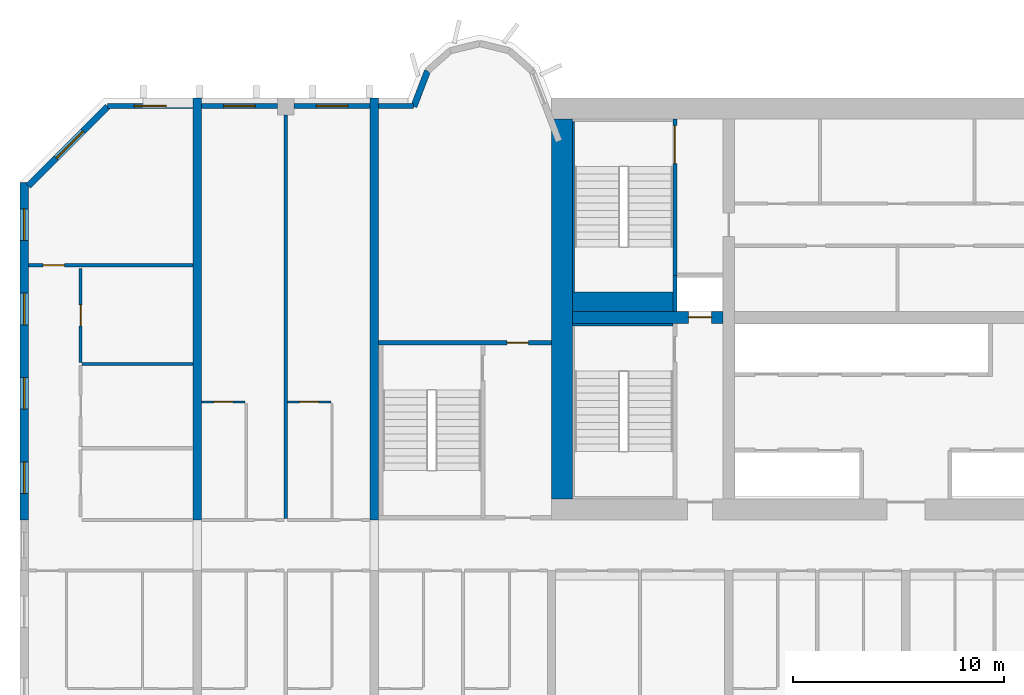
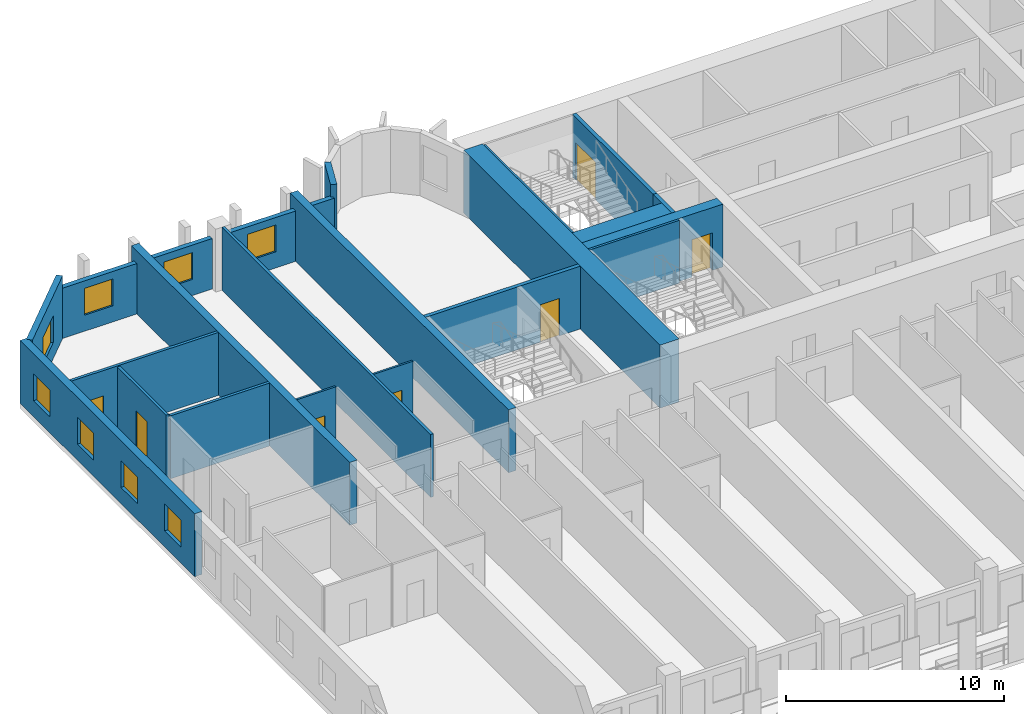
# One storey, part 6 of 15: 23 walls, 8 windows, 7 doors, 15 openings.
"""IFC4 building model written with IfcOpenShell, lengths in metres."""

from ifc_helpers import new_model, si_unit, direction, frame, frame_2d, origin, place, context, subcontext, project, spatial, rectangle, extrude, source, transform, mapped, material, layer, layer_set, type_object, element, fill, save


model = new_model("IFC4")

# Units and contexts
model_context = context("Model", 3, precision=1e-05, world=origin(), true_north=direction((0.0, 1.0)))
body_context = subcontext(model_context, "Body", "Model", "MODEL_VIEW")
ifc_project = project(units=[si_unit("LENGTHUNIT", "METRE"), si_unit("AREAUNIT", "SQUARE_METRE"), si_unit("VOLUMEUNIT", "CUBIC_METRE"), si_unit("PLANEANGLEUNIT", "RADIAN"), si_unit("MASSUNIT", "GRAM", prefix="KILO")], contexts=[model_context])

# Site, building, storey
site_placement = place(None, origin())
site = spatial("IfcSite", under=ifc_project, at=site_placement, CompositionType="ELEMENT")
building_placement = place(site_placement, origin())
building = spatial("IfcBuilding", under=site, at=building_placement, Name="Vanashikhar Sky Hotel", CompositionType="ELEMENT")
storey_placement = place(building_placement, frame((0.0, 0.0, 77.199951171875)))
storey = spatial("IfcBuildingStorey", under=building, at=storey_placement, Name="L18", CompositionType="ELEMENT", Elevation=77.199951171875)

# Wall
ifc_material_1 = material(Name="Concrete M80", Category="concrete")
ifc_layer_1 = layer(ifc_material_1, 1.0)
ifc_layer_set_1 = layer_set([ifc_layer_1], Name="RC core shell wall 1000 Concrete M80")
wall_type_1 = type_object("IfcWallType", Name="RC core shell wall 1000 Concrete M80", PredefinedType="SHEAR", material=ifc_layer_set_1)
shared_shape_1 = source(origin(), body_context, "Body", "SweptSolid", [
    extrude(rectangle(XDim=18.0, YDim=1.0, at=frame_2d((9.0, 0.0))), origin(), (0.0, 0.0, 1.0), 3.52001953125),
])
wall_1_placement = place(storey_placement, frame((25.699951171875, 23.0, 0.0), z_axis=(0.0, 0.0, 1.0), x_axis=(0.0, 1.0, 0.0)))
element("IfcWall", 1, at=wall_1_placement, inside=storey, type_object=wall_type_1, Name="KW-L18-KW", PredefinedType="SHEAR", context=body_context, shape_type="MappedRepresentation", body=[
    mapped(shared_shape_1, transform((0.0, 0.0, 0.0), scale=1.0)),
])

# Wall, opening, door
ifc_layer_2 = layer(ifc_material_1, 0.550048828125)
ifc_layer_set_2 = layer_set([ifc_layer_2], Name="RC core inner wall 550 Concrete M80")
wall_type_2 = type_object("IfcWallType", Name="RC core inner wall 550 Concrete M80", PredefinedType="SHEAR", material=ifc_layer_set_2)
shared_shape_2 = source(origin(), body_context, "Body", "SweptSolid", [
    extrude(rectangle(XDim=7.125, YDim=0.550048828125, at=frame_2d((3.5625, 0.0))), origin(), (0.0, 0.0, 1.0), 3.52001953125),
])
wall_2_placement = place(storey_placement, frame((26.199951171875, 31.60009765625, 0.0), z_axis=(0.0, 0.0, 1.0), x_axis=(1.0, 0.0, 0.0)))
wall_2 = element("IfcWall", 2, at=wall_2_placement, inside=storey, type_object=wall_type_2, Name="KW-L18-KY1", PredefinedType="SHEAR", context=body_context, shape_type="MappedRepresentation", body=[
    mapped(shared_shape_2, transform((0.0, 0.0, 0.0), scale=1.0)),
])
shared_shape_3 = source(origin(), body_context, "Body", "SweptSolid", [
    extrude(rectangle(XDim=1.10009765625, YDim=2.10009765625, at=frame_2d((0.550048828125, 1.050048828125))), frame((0.0, 0.28515625, 0.0), z_axis=(0.0, -1.0, 0.0), x_axis=(1.0, 0.0, 0.0)), (0.0, 0.0, 1.0), 0.570068359375),
])
opening_1_placement = place(wall_2_placement, frame((5.488037109375, 0.0, 0.0)))
opening_1 = element("IfcOpeningElement", 3, at=opening_1_placement, cuts=wall_2, Name="Opening LD", PredefinedType="OPENING", context=body_context, shape_type="MappedRepresentation", body=[
    mapped(shared_shape_3, transform((0.0, 0.0, 0.0), scale=1.0)),
])
ifc_material_2 = material(Name="Stainless steel", Category="steel")
door_type_1 = type_object("IfcDoorType", Name="Lift landing door 1100", OperationType="NOTDEFINED", PredefinedType="DOOR", material=ifc_material_2)
shared_shape_4 = source(origin(), body_context, "Body", "SweptSolid", [
    extrude(rectangle(XDim=1.10009765625, YDim=2.10009765625, at=frame_2d((0.550048828125, 1.050048828125))), frame((0.0, 0.02490234375, 0.0), z_axis=(0.0, -1.0, 0.0), x_axis=(1.0, 0.0, 0.0)), (0.0, 0.0, 1.0), 0.050048828125),
])
door_1_placement = place(opening_1_placement, origin())
door_1 = element("IfcDoor", 4, at=door_1_placement, inside=storey, type_object=door_type_1, Name="Lift landing door 1100", OperationType="SLIDING_TO_RIGHT", OverallHeight=2.10009765625, OverallWidth=1.10009765625, PredefinedType="DOOR", context=body_context, shape_type="MappedRepresentation", body=[
    mapped(shared_shape_4, transform((0.0, 0.0, 0.0), scale=1.0)),
])
fill(opening_1, door_1)

# Wall, openings, windows
ifc_layer_3 = layer(ifc_material_1, 0.39990234375)
ifc_layer_set_3 = layer_set([ifc_layer_3], Name="RC shear wall 400 Concrete M80")
wall_type_3 = type_object("IfcWallType", Name="RC shear wall 400 Concrete M80", PredefinedType="SHEAR", material=ifc_layer_set_3)
shared_shape_5 = source(origin(), body_context, "Body", "SweptSolid", [
    extrude(rectangle(XDim=16.0, YDim=0.39990234375, at=frame_2d((8.0, 0.0))), origin(), (0.0, 0.0, 1.0), 3.52001953125),
])
wall_3_placement = place(storey_placement, frame((0.199951171875, 22.0, 0.0), z_axis=(0.0, 0.0, 1.0), x_axis=(0.0, 1.0, 0.0)))
wall_3 = element("IfcWall", 5, at=wall_3_placement, inside=storey, type_object=wall_type_3, Name="CW-L18-XW01-2", PredefinedType="SHEAR", context=body_context, shape_type="MappedRepresentation", body=[
    mapped(shared_shape_5, transform((0.0, 0.0, 0.0), scale=1.0)),
])
shared_shape_6 = source(origin(), body_context, "Body", "SweptSolid", [
    extrude(rectangle(XDim=1.5, YDim=1.5, at=frame_2d((0.75, 0.75))), frame((0.0, 0.2099609375, 0.0), z_axis=(0.0, -1.0, 0.0), x_axis=(1.0, 0.0, 0.0)), (0.0, 0.0, 1.0), 0.419921875),
])
opening_2_placement = place(wall_3_placement, frame((1.25, 0.0, 0.89990234375)))
opening_2 = element("IfcOpeningElement", 6, at=opening_2_placement, cuts=wall_3, Name="Opening WN-1", PredefinedType="OPENING", context=body_context, shape_type="MappedRepresentation", body=[
    mapped(shared_shape_6, transform((0.0, 0.0, 0.0), scale=1.0)),
])
opening_3_placement = place(wall_3_placement, frame((5.25, 0.0, 0.89990234375)))
opening_3 = element("IfcOpeningElement", 7, at=opening_3_placement, cuts=wall_3, Name="Opening WN-1", PredefinedType="OPENING", context=body_context, shape_type="MappedRepresentation", body=[
    mapped(shared_shape_6, transform((0.0, 0.0, 0.0), scale=1.0)),
])
opening_4_placement = place(wall_3_placement, frame((9.25, 0.0, 0.89990234375)))
opening_4 = element("IfcOpeningElement", 8, at=opening_4_placement, cuts=wall_3, Name="Opening WN-1", PredefinedType="OPENING", context=body_context, shape_type="MappedRepresentation", body=[
    mapped(shared_shape_6, transform((0.0, 0.0, 0.0), scale=1.0)),
])
opening_5_placement = place(wall_3_placement, frame((13.25, 0.0, 0.89990234375)))
opening_5 = element("IfcOpeningElement", 9, at=opening_5_placement, cuts=wall_3, Name="Opening WN-1", PredefinedType="OPENING", context=body_context, shape_type="MappedRepresentation", body=[
    mapped(shared_shape_6, transform((0.0, 0.0, 0.0), scale=1.0)),
])
ifc_material_3 = material(Name="Glass", Category="glass")
window_type_1 = type_object("IfcWindowType", Name="Window 1500 x 1500", PartitioningType="SINGLE_PANEL", PredefinedType="WINDOW", material=ifc_material_3)
shared_shape_7 = source(origin(), body_context, "Body", "SweptSolid", [
    extrude(rectangle(XDim=1.5, YDim=1.5, at=frame_2d((0.75, 0.75))), frame((0.0, 0.030029296875, 0.0), z_axis=(0.0, -1.0, 0.0), x_axis=(1.0, 0.0, 0.0)), (0.0, 0.0, 1.0), 0.06005859375),
])
window_1_placement = place(opening_2_placement, origin())
window_1 = element("IfcWindow", 10, at=window_1_placement, inside=storey, type_object=window_type_1, Name="Window WN-1", OverallHeight=1.5, OverallWidth=1.5, PartitioningType="SINGLE_PANEL", PredefinedType="WINDOW", context=body_context, shape_type="MappedRepresentation", body=[
    mapped(shared_shape_7, transform((0.0, 0.0, 0.0), scale=1.0)),
])
fill(opening_2, window_1)
window_2_placement = place(opening_3_placement, origin())
window_2 = element("IfcWindow", 11, at=window_2_placement, inside=storey, type_object=window_type_1, Name="Window WN-1", OverallHeight=1.5, OverallWidth=1.5, PartitioningType="SINGLE_PANEL", PredefinedType="WINDOW", context=body_context, shape_type="MappedRepresentation", body=[
    mapped(shared_shape_7, transform((0.0, 0.0, 0.0), scale=1.0)),
])
fill(opening_3, window_2)
window_3_placement = place(opening_4_placement, origin())
window_3 = element("IfcWindow", 12, at=window_3_placement, inside=storey, type_object=window_type_1, Name="Window WN-1", OverallHeight=1.5, OverallWidth=1.5, PartitioningType="SINGLE_PANEL", PredefinedType="WINDOW", context=body_context, shape_type="MappedRepresentation", body=[
    mapped(shared_shape_7, transform((0.0, 0.0, 0.0), scale=1.0)),
])
fill(opening_4, window_3)
window_4_placement = place(opening_5_placement, origin())
window_4 = element("IfcWindow", 13, at=window_4_placement, inside=storey, type_object=window_type_1, Name="Window WN-1", OverallHeight=1.5, OverallWidth=1.5, PartitioningType="SINGLE_PANEL", PredefinedType="WINDOW", context=body_context, shape_type="MappedRepresentation", body=[
    mapped(shared_shape_7, transform((0.0, 0.0, 0.0), scale=1.0)),
])
fill(opening_5, window_4)

# Walls
shared_shape_8 = source(origin(), body_context, "Body", "SweptSolid", [
    extrude(rectangle(XDim=20.0, YDim=0.39990234375, at=frame_2d((10.0, 0.0))), origin(), (0.0, 0.0, 1.0), 3.52001953125),
])
for number, where, z_axis, x_axis, name in (
    (14, (8.39990234375, 22.0, 0.0), (0.0, 0.0, 1.0), (0.0, 1.0, 0.0), "CW-L18-XW02-2"),
    (15, (16.800048828125, 22.0, 0.0), (0.0, 0.0, 1.0), (0.0, 1.0, 0.0), "CW-L18-XW03-2"),
):
    element("IfcWall", number, at=place(storey_placement, frame(where, z_axis=z_axis, x_axis=x_axis)), inside=storey, type_object=wall_type_3, Name=name, PredefinedType="SHEAR", context=body_context, shape_type="MappedRepresentation", body=[
        mapped(shared_shape_8, transform((0.0, 0.0, 0.0), scale=1.0)),
    ])

# Wall, opening, window
ifc_material_4 = material(Name="Concrete M50", Category="concrete")
ifc_layer_4 = layer(ifc_material_4, 0.300048828125)
ifc_layer_set_4 = layer_set([ifc_layer_4], Name="Lobe wall 300")
wall_type_4 = type_object("IfcWallType", Name="Lobe wall 300", PredefinedType="SOLIDWALL", material=ifc_layer_set_4)
shared_shape_9 = source(origin(), body_context, "Body", "SweptSolid", [
    extrude(rectangle(XDim=5.32568359375, YDim=0.300048828125, at=frame_2d((2.662841796875, 0.0))), origin(), (0.0, 0.0, 1.0), 3.52001953125),
])
wall_4_placement = place(storey_placement, frame((4.165771484375, 41.60009765625, 0.0), z_axis=(0.0, 0.0, 1.0), x_axis=(-0.707106781187, -0.707106781187, 0.0)))
wall_4 = element("IfcWall", 16, at=wall_4_placement, inside=storey, type_object=wall_type_4, Name="Corner wall", PredefinedType="SOLIDWALL", context=body_context, shape_type="MappedRepresentation", body=[
    mapped(shared_shape_9, transform((0.0, 0.0, 0.0), scale=1.0)),
])
shared_shape_10 = source(origin(), body_context, "Body", "SweptSolid", [
    extrude(rectangle(XDim=1.800048828125, YDim=1.5, at=frame_2d((0.89990234375, 0.75))), frame((0.0, 0.16015625, 0.0), z_axis=(0.0, -1.0, 0.0), x_axis=(1.0, 0.0, 0.0)), (0.0, 0.0, 1.0), 0.320068359375),
])
opening_6_placement = place(wall_4_placement, frame((1.654296875, 0.0, 0.89990234375)))
opening_6 = element("IfcOpeningElement", 17, at=opening_6_placement, cuts=wall_4, Name="Opening WN-4", PredefinedType="OPENING", context=body_context, shape_type="MappedRepresentation", body=[
    mapped(shared_shape_10, transform((0.0, 0.0, 0.0), scale=1.0)),
])
window_type_2 = type_object("IfcWindowType", Name="Corner window 1800 x 1500", PartitioningType="SINGLE_PANEL", PredefinedType="WINDOW", material=ifc_material_3)
shared_shape_11 = source(origin(), body_context, "Body", "SweptSolid", [
    extrude(rectangle(XDim=1.800048828125, YDim=1.5, at=frame_2d((0.89990234375, 0.75))), frame((0.0, 0.030029296875, 0.0), z_axis=(0.0, -1.0, 0.0), x_axis=(1.0, 0.0, 0.0)), (0.0, 0.0, 1.0), 0.06005859375),
])
window_5_placement = place(opening_6_placement, origin())
window_5 = element("IfcWindow", 18, at=window_5_placement, inside=storey, type_object=window_type_2, Name="Window WN-4", OverallHeight=1.5, OverallWidth=1.800048828125, PartitioningType="SINGLE_PANEL", PredefinedType="WINDOW", context=body_context, shape_type="MappedRepresentation", body=[
    mapped(shared_shape_11, transform((0.0, 0.0, 0.0), scale=1.0)),
])
fill(opening_6, window_5)

# Walls
shared_shape_12 = source(origin(), body_context, "Body", "SweptSolid", [
    extrude(rectangle(XDim=1.81201171875, YDim=0.300048828125, at=frame_2d((0.906005859375, 0.0))), origin(), (0.0, 0.0, 1.0), 3.52001953125),
])
wall_5_placement = place(storey_placement, frame((19.323486328125, 43.2919921875, 0.0), z_axis=(0.0, 0.0, 1.0), x_axis=(-0.357877270961, -0.93376863244, 0.0)))
element("IfcWall", 19, at=wall_5_placement, inside=storey, type_object=wall_type_4, Name="Lobe wall", PredefinedType="SOLIDWALL", context=body_context, shape_type="MappedRepresentation", body=[
    mapped(shared_shape_12, transform((0.0, 0.0, 0.0), scale=1.0)),
])
ifc_layer_5 = layer(ifc_material_4, 0.25)
ifc_layer_set_5 = layer_set([ifc_layer_5], Name="Rear and end board-marked wall 250")
wall_type_5 = type_object("IfcWallType", Name="Rear and end board-marked wall 250", PredefinedType="SOLIDWALL", material=ifc_layer_set_5)
shared_shape_13 = source(origin(), body_context, "Body", "SweptSolid", [
    extrude(rectangle(XDim=1.657958984375, YDim=0.25, at=frame_2d((0.8291015625, 0.0))), origin(), (0.0, 0.0, 1.0), 2.820068359375),
])
wall_6_placement = place(storey_placement, frame((18.657958984375, 41.625, 0.0), z_axis=(0.0, 0.0, 1.0), x_axis=(-1.0, 0.0, 0.0)))
element("IfcWall", 20, at=wall_6_placement, inside=storey, type_object=wall_type_5, Name="Rear board-marked wall", PredefinedType="SOLIDWALL", context=body_context, shape_type="MappedRepresentation", body=[
    mapped(shared_shape_13, transform((0.0, 0.0, 0.0), scale=1.0)),
])

# Wall, opening, window
shared_shape_14 = source(origin(), body_context, "Body", "SweptSolid", [
    extrude(rectangle(XDim=3.60009765625, YDim=0.25, at=frame_2d((1.800048828125, 0.0))), origin(), (0.0, 0.0, 1.0), 2.820068359375),
])
wall_7_placement = place(storey_placement, frame((16.60009765625, 41.625, 0.0), z_axis=(0.0, 0.0, 1.0), x_axis=(-1.0, 0.0, 0.0)))
wall_7 = element("IfcWall", 21, at=wall_7_placement, inside=storey, type_object=wall_type_5, Name="Rear board-marked wall", PredefinedType="SOLIDWALL", context=body_context, shape_type="MappedRepresentation", body=[
    mapped(shared_shape_14, transform((0.0, 0.0, 0.0), scale=1.0)),
])
shared_shape_15 = source(origin(), body_context, "Body", "SweptSolid", [
    extrude(rectangle(XDim=1.5, YDim=1.5, at=frame_2d((0.75, 0.75))), frame((0.0, 0.135009765625, 0.0), z_axis=(0.0, -1.0, 0.0), x_axis=(1.0, 0.0, 0.0)), (0.0, 0.0, 1.0), 0.27001953125),
])
opening_7_placement = place(wall_7_placement, frame((1.050048828125, 0.0, 0.89990234375)))
opening_7 = element("IfcOpeningElement", 22, at=opening_7_placement, cuts=wall_7, Name="Opening WN-1", PredefinedType="OPENING", context=body_context, shape_type="MappedRepresentation", body=[
    mapped(shared_shape_15, transform((0.0, 0.0, 0.0), scale=1.0)),
])
window_6_placement = place(opening_7_placement, origin())
window_6 = element("IfcWindow", 23, at=window_6_placement, inside=storey, type_object=window_type_1, Name="Window WN-1", OverallHeight=1.5, OverallWidth=1.5, PartitioningType="SINGLE_PANEL", PredefinedType="WINDOW", context=body_context, shape_type="MappedRepresentation", body=[
    mapped(shared_shape_7, transform((0.0, 0.0, 0.0), scale=1.0)),
])
fill(opening_7, window_6)

shared_shape_16 = source(origin(), body_context, "Body", "SweptSolid", [
    extrude(rectangle(XDim=3.599853515625, YDim=0.25, at=frame_2d((1.7998046875, 0.0))), origin(), (0.0, 0.0, 1.0), 2.820068359375),
])
wall_8_placement = place(storey_placement, frame((12.199951171875, 41.625, 0.0), z_axis=(0.0, 0.0, 1.0), x_axis=(-1.0, 0.0, 0.0)))
wall_8 = element("IfcWall", 24, at=wall_8_placement, inside=storey, type_object=wall_type_5, Name="Rear board-marked wall", PredefinedType="SOLIDWALL", context=body_context, shape_type="MappedRepresentation", body=[
    mapped(shared_shape_16, transform((0.0, 0.0, 0.0), scale=1.0)),
])
opening_8_placement = place(wall_8_placement, frame((1.050048828125, 0.0, 0.89990234375)))
opening_8 = element("IfcOpeningElement", 25, at=opening_8_placement, cuts=wall_8, Name="Opening WN-1", PredefinedType="OPENING", context=body_context, shape_type="MappedRepresentation", body=[
    mapped(shared_shape_15, transform((0.0, 0.0, 0.0), scale=1.0)),
])
window_7_placement = place(opening_8_placement, origin())
window_7 = element("IfcWindow", 26, at=window_7_placement, inside=storey, type_object=window_type_1, Name="Window WN-1", OverallHeight=1.5, OverallWidth=1.5, PartitioningType="SINGLE_PANEL", PredefinedType="WINDOW", context=body_context, shape_type="MappedRepresentation", body=[
    mapped(shared_shape_7, transform((0.0, 0.0, 0.0), scale=1.0)),
])
fill(opening_8, window_7)

shared_shape_17 = source(origin(), body_context, "Body", "SweptSolid", [
    extrude(rectangle(XDim=4.044677734375, YDim=0.25, at=frame_2d((2.0224609375, 0.0))), origin(), (0.0, 0.0, 1.0), 2.820068359375),
])
wall_9_placement = place(storey_placement, frame((8.199951171875, 41.625, 0.0), z_axis=(0.0, 0.0, 1.0), x_axis=(-1.0, 0.0, 0.0)))
wall_9 = element("IfcWall", 27, at=wall_9_placement, inside=storey, type_object=wall_type_5, Name="Rear board-marked wall", PredefinedType="SOLIDWALL", context=body_context, shape_type="MappedRepresentation", body=[
    mapped(shared_shape_17, transform((0.0, 0.0, 0.0), scale=1.0)),
])
opening_9_placement = place(wall_9_placement, frame((1.2724609375, 0.0, 0.89990234375)))
opening_9 = element("IfcOpeningElement", 28, at=opening_9_placement, cuts=wall_9, Name="Opening WN-1", PredefinedType="OPENING", context=body_context, shape_type="MappedRepresentation", body=[
    mapped(shared_shape_15, transform((0.0, 0.0, 0.0), scale=1.0)),
])
window_8_placement = place(opening_9_placement, origin())
window_8 = element("IfcWindow", 29, at=window_8_placement, inside=storey, type_object=window_type_1, Name="Window WN-1", OverallHeight=1.5, OverallWidth=1.5, PartitioningType="SINGLE_PANEL", PredefinedType="WINDOW", context=body_context, shape_type="MappedRepresentation", body=[
    mapped(shared_shape_7, transform((0.0, 0.0, 0.0), scale=1.0)),
])
fill(opening_9, window_8)

# Wall, opening, door
ifc_layer_6 = layer(ifc_material_4, 0.199951171875)
ifc_layer_set_6 = layer_set([ifc_layer_6], Name="Stair wall 200")
wall_type_6 = type_object("IfcWallType", Name="Stair wall 200", PredefinedType="SOLIDWALL", material=ifc_layer_set_6)
shared_shape_18 = source(origin(), body_context, "Body", "SweptSolid", [
    extrude(rectangle(XDim=8.199951171875, YDim=0.199951171875, at=frame_2d((4.10009765625, 0.0))), origin(), (0.0, 0.0, 1.0), 3.52001953125),
])
wall_10_placement = place(storey_placement, frame((17.0, 30.39990234375, 0.0), z_axis=(0.0, 0.0, 1.0), x_axis=(1.0, 0.0, 0.0)))
wall_10 = element("IfcWall", 30, at=wall_10_placement, inside=storey, type_object=wall_type_6, Name="Stair wall 200", PredefinedType="SOLIDWALL", context=body_context, shape_type="MappedRepresentation", body=[
    mapped(shared_shape_18, transform((0.0, 0.0, 0.0), scale=1.0)),
])
shared_shape_19 = source(origin(), body_context, "Body", "SweptSolid", [
    extrude(rectangle(XDim=1.0, YDim=2.10009765625, at=frame_2d((0.5, 1.050048828125))), frame((0.0, 0.10986328125, 0.0), z_axis=(0.0, -1.0, 0.0), x_axis=(1.0, 0.0, 0.0)), (0.0, 0.0, 1.0), 0.219970703125),
])
opening_10_placement = place(wall_10_placement, frame((6.10009765625, 0.0, 0.0)))
opening_10 = element("IfcOpeningElement", 31, at=opening_10_placement, cuts=wall_10, Name="Opening DC-6", PredefinedType="OPENING", context=body_context, shape_type="MappedRepresentation", body=[
    mapped(shared_shape_19, transform((0.0, 0.0, 0.0), scale=1.0)),
])
ifc_material_5 = material(Name="Steel", Category="steel")
door_type_2 = type_object("IfcDoorType", Name="Pocket door 1000 FD60", OperationType="NOTDEFINED", PredefinedType="DOOR", material=ifc_material_5)
shared_shape_20 = source(origin(), body_context, "Body", "SweptSolid", [
    extrude(rectangle(XDim=1.0, YDim=2.10009765625, at=frame_2d((0.5, 1.050048828125))), frame((0.0, 0.02490234375, 0.0), z_axis=(0.0, -1.0, 0.0), x_axis=(1.0, 0.0, 0.0)), (0.0, 0.0, 1.0), 0.050048828125),
])
door_2_placement = place(opening_10_placement, origin())
door_2 = element("IfcDoor", 32, at=door_2_placement, inside=storey, type_object=door_type_2, Name="Pocket door 1000 FD60", OperationType="SINGLE_SWING_LEFT", OverallHeight=2.10009765625, OverallWidth=1.0, PredefinedType="DOOR", context=body_context, shape_type="MappedRepresentation", body=[
    mapped(shared_shape_20, transform((0.0, 0.0, 0.0), scale=1.0)),
])
fill(opening_10, door_2)

# Walls
ifc_layer_7 = layer(ifc_material_4, 0.10009765625)
ifc_layer_set_7 = layer_set([ifc_layer_7], Name="Stair infill wall 100")
wall_type_7 = type_object("IfcWallType", Name="Stair infill wall 100", PredefinedType="SOLIDWALL", material=ifc_layer_set_7)
shared_shape_21 = source(origin(), body_context, "Body", "SweptSolid", [
    extrude(rectangle(XDim=8.099853515625, YDim=0.10009765625, at=frame_2d((4.0498046875, 0.0))), origin(), (0.0, 0.0, 1.0), 3.52001953125),
])
wall_11_placement = place(storey_placement, frame((26.25, 32.800048828125, 0.0), z_axis=(0.0, 0.0, 1.0), x_axis=(0.0, 1.0, 0.0)))
element("IfcWall", 33, at=wall_11_placement, inside=storey, type_object=wall_type_7, Name="Stair infill wall 100", PredefinedType="SOLIDWALL", context=body_context, shape_type="MappedRepresentation", body=[
    mapped(shared_shape_21, transform((0.0, 0.0, 0.0), scale=1.0)),
])
ifc_material_6 = material(Name="Concrete M40", Category="concrete")
ifc_layer_8 = layer(ifc_material_6, 0.199951171875)
ifc_layer_set_8 = layer_set([ifc_layer_8], Name="Shaft wall 200")
wall_type_8 = type_object("IfcWallType", Name="Shaft wall 200", PredefinedType="SOLIDWALL", material=ifc_layer_set_8)
shared_shape_22 = source(origin(), body_context, "Body", "SweptSolid", [
    extrude(rectangle(XDim=1.72509765625, YDim=0.199951171875, at=frame_2d((0.862548828125, 0.0))), origin(), (0.0, 0.0, 1.0), 3.52001953125),
])
wall_12_placement = place(storey_placement, frame((31.050048828125, 31.875, 0.0), z_axis=(0.0, 0.0, 1.0), x_axis=(0.0, 1.0, 0.0)))
element("IfcWall", 34, at=wall_12_placement, inside=storey, type_object=wall_type_8, Name="Shaft wall 200", PredefinedType="SOLIDWALL", context=body_context, shape_type="MappedRepresentation", body=[
    mapped(shared_shape_22, transform((0.0, 0.0, 0.0), scale=1.0)),
])

# Wall, opening, door
shared_shape_23 = source(origin(), body_context, "Body", "SweptSolid", [
    extrude(rectangle(XDim=7.39990234375, YDim=0.199951171875, at=frame_2d((3.699951171875, 0.0))), origin(), (0.0, 0.0, 1.0), 3.52001953125),
])
wall_13_placement = place(storey_placement, frame((31.050048828125, 33.60009765625, 0.0), z_axis=(0.0, 0.0, 1.0), x_axis=(0.0, 1.0, 0.0)))
wall_13 = element("IfcWall", 35, at=wall_13_placement, inside=storey, type_object=wall_type_6, Name="Stair wall 200", PredefinedType="SOLIDWALL", context=body_context, shape_type="MappedRepresentation", body=[
    mapped(shared_shape_23, transform((0.0, 0.0, 0.0), scale=1.0)),
])
shared_shape_24 = source(origin(), body_context, "Body", "SweptSolid", [
    extrude(rectangle(XDim=1.800048828125, YDim=2.10009765625, at=frame_2d((0.89990234375, 1.050048828125))), frame((0.0, 0.10986328125, 0.0), z_axis=(0.0, -1.0, 0.0), x_axis=(1.0, 0.0, 0.0)), (0.0, 0.0, 1.0), 0.219970703125),
])
opening_11_placement = place(wall_13_placement, frame((5.300048828125, 0.0, 0.0)))
opening_11 = element("IfcOpeningElement", 36, at=opening_11_placement, cuts=wall_13, Name="Opening DC-1-A", PredefinedType="OPENING", context=body_context, shape_type="MappedRepresentation", body=[
    mapped(shared_shape_24, transform((0.0, 0.0, 0.0), scale=1.0)),
])
door_type_3 = type_object("IfcDoorType", Name="Stair door 1800 FD120", OperationType="NOTDEFINED", PredefinedType="DOOR", material=ifc_material_5)
shared_shape_25 = source(origin(), body_context, "Body", "SweptSolid", [
    extrude(rectangle(XDim=1.800048828125, YDim=2.10009765625, at=frame_2d((0.89990234375, 1.050048828125))), frame((0.0, 0.02490234375, 0.0), z_axis=(0.0, -1.0, 0.0), x_axis=(1.0, 0.0, 0.0)), (0.0, 0.0, 1.0), 0.050048828125),
])
door_3_placement = place(opening_11_placement, origin())
door_3 = element("IfcDoor", 37, at=door_3_placement, inside=storey, type_object=door_type_3, Name="Stair door 1800 FD120", OperationType="SINGLE_SWING_LEFT", OverallHeight=2.10009765625, OverallWidth=1.800048828125, PredefinedType="DOOR", context=body_context, shape_type="MappedRepresentation", body=[
    mapped(shared_shape_25, transform((0.0, 0.0, 0.0), scale=1.0)),
])
fill(opening_11, door_3)

# Walls
ifc_layer_9 = layer(ifc_material_4, 0.125)
ifc_layer_set_9 = layer_set([ifc_layer_9], Name="Stair infill wall 125")
wall_type_9 = type_object("IfcWallType", Name="Stair infill wall 125", PredefinedType="SOLIDWALL", material=ifc_layer_set_9)
shared_shape_26 = source(origin(), body_context, "Body", "SweptSolid", [
    extrude(rectangle(XDim=4.75, YDim=0.125, at=frame_2d((2.375, 0.0))), origin(), (0.0, 0.0, 1.0), 3.52001953125),
])
wall_14_placement = place(storey_placement, frame((26.199951171875, 31.261962890625, 0.0), z_axis=(0.0, 0.0, 1.0), x_axis=(1.0, 0.0, 0.0)))
element("IfcWall", 38, at=wall_14_placement, inside=storey, type_object=wall_type_9, Name="Stair infill wall 125", PredefinedType="SOLIDWALL", context=body_context, shape_type="MappedRepresentation", body=[
    mapped(shared_shape_26, transform((0.0, 0.0, 0.0), scale=1.0)),
])
ifc_layer_10 = layer(ifc_material_4, 0.925048828125)
ifc_layer_set_10 = layer_set([ifc_layer_10], Name="Stair infill wall 925")
wall_type_10 = type_object("IfcWallType", Name="Stair infill wall 925", PredefinedType="SOLIDWALL", material=ifc_layer_set_10)
shared_shape_27 = source(origin(), body_context, "Body", "SweptSolid", [
    extrude(rectangle(XDim=4.75, YDim=0.925048828125, at=frame_2d((2.375, 0.0))), origin(), (0.0, 0.0, 1.0), 3.52001953125),
])
wall_15_placement = place(storey_placement, frame((26.199951171875, 32.3369140625, 0.0), z_axis=(0.0, 0.0, 1.0), x_axis=(1.0, 0.0, 0.0)))
element("IfcWall", 39, at=wall_15_placement, inside=storey, type_object=wall_type_10, Name="Stair infill wall 925", PredefinedType="SOLIDWALL", context=body_context, shape_type="MappedRepresentation", body=[
    mapped(shared_shape_27, transform((0.0, 0.0, 0.0), scale=1.0)),
])

# Wall, opening, door
ifc_material_7 = material(Name="Gypsum plasterboard partition")
ifc_layer_11 = layer(ifc_material_7, 0.14990234375)
ifc_layer_set_11 = layer_set([ifc_layer_11], Name="Corridor and demising partition 150")
wall_type_11 = type_object("IfcWallType", Name="Corridor and demising partition 150", PredefinedType="PARTITIONING", material=ifc_layer_set_11)
shared_shape_28 = source(origin(), body_context, "Body", "SweptSolid", [
    extrude(rectangle(XDim=4.449951171875, YDim=0.14990234375, at=frame_2d((2.22509765625, 0.0))), origin(), (0.0, 0.0, 1.0), 3.52001953125),
])
wall_16_placement = place(storey_placement, frame((2.875, 29.47509765625, 0.0), z_axis=(0.0, 0.0, 1.0), x_axis=(0.0, 1.0, 0.0)))
wall_16 = element("IfcWall", 40, at=wall_16_placement, inside=storey, type_object=wall_type_11, Name="W-L18-PW076", PredefinedType="PARTITIONING", context=body_context, shape_type="MappedRepresentation", body=[
    mapped(shared_shape_28, transform((0.0, 0.0, 0.0), scale=1.0)),
])
shared_shape_29 = source(origin(), body_context, "Body", "SweptSolid", [
    extrude(rectangle(XDim=1.0, YDim=2.10009765625, at=frame_2d((0.5, 1.050048828125))), frame((0.0, 0.0849609375, 0.0), z_axis=(0.0, -1.0, 0.0), x_axis=(1.0, 0.0, 0.0)), (0.0, 0.0, 1.0), 0.169921875),
])
opening_12_placement = place(wall_16_placement, frame((1.72509765625, 0.0, 0.0)))
opening_12 = element("IfcOpeningElement", 41, at=opening_12_placement, cuts=wall_16, Name="Opening D-01", PredefinedType="OPENING", context=body_context, shape_type="MappedRepresentation", body=[
    mapped(shared_shape_29, transform((0.0, 0.0, 0.0), scale=1.0)),
])
ifc_material_8 = material(Name="Timber fire door", Category="wood")
door_type_4 = type_object("IfcDoorType", Name="Guest entry door 1000 FD30S", OperationType="NOTDEFINED", PredefinedType="DOOR", material=ifc_material_8)
door_4_placement = place(opening_12_placement, origin())
door_4 = element("IfcDoor", 42, at=door_4_placement, inside=storey, type_object=door_type_4, Name="D-L18-043", OperationType="SINGLE_SWING_LEFT", OverallHeight=2.10009765625, OverallWidth=1.0, PredefinedType="DOOR", context=body_context, shape_type="MappedRepresentation", body=[
    mapped(shared_shape_20, transform((0.0, 0.0, 0.0), scale=1.0)),
])
fill(opening_12, door_4)

ifc_layer_12 = layer(ifc_material_7, 0.10009765625)
ifc_layer_set_12 = layer_set([ifc_layer_12], Name="Wet room partition 100")
wall_type_12 = type_object("IfcWallType", Name="Wet room partition 100", PredefinedType="PARTITIONING", material=ifc_layer_set_12)
shared_shape_30 = source(origin(), body_context, "Body", "SweptSolid", [
    extrude(rectangle(XDim=2.074951171875, YDim=0.10009765625, at=frame_2d((1.03759765625, 0.0))), origin(), (0.0, 0.0, 1.0), 3.52001953125),
])
wall_17_placement = place(storey_placement, frame((8.60009765625, 27.60009765625, 0.0), z_axis=(0.0, 0.0, 1.0), x_axis=(1.0, 0.0, 0.0)))
wall_17 = element("IfcWall", 43, at=wall_17_placement, inside=storey, type_object=wall_type_12, Name="W-L18-PW079", PredefinedType="PARTITIONING", context=body_context, shape_type="MappedRepresentation", body=[
    mapped(shared_shape_30, transform((0.0, 0.0, 0.0), scale=1.0)),
])
shared_shape_31 = source(origin(), body_context, "Body", "SweptSolid", [
    extrude(rectangle(XDim=0.89990234375, YDim=2.10009765625, at=frame_2d((0.449951171875, 1.050048828125))), frame((0.0, 0.06005859375, 0.0), z_axis=(0.0, -1.0, 0.0), x_axis=(1.0, 0.0, 0.0)), (0.0, 0.0, 1.0), 0.1201171875),
])
opening_13_placement = place(wall_17_placement, frame((0.587890625, 0.0, 0.0)))
opening_13 = element("IfcOpeningElement", 44, at=opening_13_placement, cuts=wall_17, Name="Opening D-02", PredefinedType="OPENING", context=body_context, shape_type="MappedRepresentation", body=[
    mapped(shared_shape_31, transform((0.0, 0.0, 0.0), scale=1.0)),
])
ifc_material_9 = material(Name="Timber door", Category="wood")
door_type_5 = type_object("IfcDoorType", Name="Internal door 900", OperationType="NOTDEFINED", PredefinedType="DOOR", material=ifc_material_9)
shared_shape_32 = source(origin(), body_context, "Body", "SweptSolid", [
    extrude(rectangle(XDim=0.89990234375, YDim=2.10009765625, at=frame_2d((0.449951171875, 1.050048828125))), frame((0.0, 0.02490234375, 0.0), z_axis=(0.0, -1.0, 0.0), x_axis=(1.0, 0.0, 0.0)), (0.0, 0.0, 1.0), 0.050048828125),
])
door_5_placement = place(opening_13_placement, origin())
door_5 = element("IfcDoor", 45, at=door_5_placement, inside=storey, type_object=door_type_5, Name="D-L18-045", OperationType="SINGLE_SWING_RIGHT", OverallHeight=2.10009765625, OverallWidth=0.89990234375, PredefinedType="DOOR", context=body_context, shape_type="MappedRepresentation", body=[
    mapped(shared_shape_32, transform((0.0, 0.0, 0.0), scale=1.0)),
])
fill(opening_13, door_5)

wall_18_placement = place(storey_placement, frame((12.675048828125, 27.60009765625, 0.0), z_axis=(0.0, 0.0, 1.0), x_axis=(1.0, 0.0, 0.0)))
wall_18 = element("IfcWall", 46, at=wall_18_placement, inside=storey, type_object=wall_type_12, Name="W-L18-PW082", PredefinedType="PARTITIONING", context=body_context, shape_type="MappedRepresentation", body=[
    mapped(shared_shape_30, transform((0.0, 0.0, 0.0), scale=1.0)),
])
opening_14_placement = place(wall_18_placement, frame((0.5869140625, 0.0, 0.0)))
opening_14 = element("IfcOpeningElement", 47, at=opening_14_placement, cuts=wall_18, Name="Opening D-02", PredefinedType="OPENING", context=body_context, shape_type="MappedRepresentation", body=[
    mapped(shared_shape_31, transform((0.0, 0.0, 0.0), scale=1.0)),
])
door_6_placement = place(opening_14_placement, origin())
door_6 = element("IfcDoor", 48, at=door_6_placement, inside=storey, type_object=door_type_5, Name="D-L18-047", OperationType="SINGLE_SWING_RIGHT", OverallHeight=2.10009765625, OverallWidth=0.89990234375, PredefinedType="DOOR", context=body_context, shape_type="MappedRepresentation", body=[
    mapped(shared_shape_32, transform((0.0, 0.0, 0.0), scale=1.0)),
])
fill(opening_14, door_6)

# Wall
shared_shape_33 = source(origin(), body_context, "Body", "SweptSolid", [
    extrude(rectangle(XDim=5.25, YDim=0.14990234375, at=frame_2d((2.625, 0.0))), origin(), (0.0, 0.0, 1.0), 3.52001953125),
])
wall_19_placement = place(storey_placement, frame((2.949951171875, 29.39990234375, 0.0), z_axis=(0.0, 0.0, 1.0), x_axis=(1.0, 0.0, 0.0)))
element("IfcWall", 49, at=wall_19_placement, inside=storey, type_object=wall_type_11, Name="W-L18-PW075", PredefinedType="PARTITIONING", context=body_context, shape_type="MappedRepresentation", body=[
    mapped(shared_shape_33, transform((0.0, 0.0, 0.0), scale=1.0)),
])

# Wall, opening, door
shared_shape_34 = source(origin(), body_context, "Body", "SweptSolid", [
    extrude(rectangle(XDim=7.800048828125, YDim=0.14990234375, at=frame_2d((3.89990234375, 0.0))), origin(), (0.0, 0.0, 1.0), 3.52001953125),
])
wall_20_placement = place(storey_placement, frame((0.39990234375, 34.074951171875, 0.0), z_axis=(0.0, 0.0, 1.0), x_axis=(1.0, 0.0, 0.0)))
wall_20 = element("IfcWall", 50, at=wall_20_placement, inside=storey, type_object=wall_type_11, Name="W-L18-PW077", PredefinedType="PARTITIONING", context=body_context, shape_type="MappedRepresentation", body=[
    mapped(shared_shape_34, transform((0.0, 0.0, 0.0), scale=1.0)),
])
opening_15_placement = place(wall_20_placement, frame((0.699951171875, 0.0, 0.0)))
opening_15 = element("IfcOpeningElement", 51, at=opening_15_placement, cuts=wall_20, Name="Opening D-01", PredefinedType="OPENING", context=body_context, shape_type="MappedRepresentation", body=[
    mapped(shared_shape_29, transform((0.0, 0.0, 0.0), scale=1.0)),
])
door_7_placement = place(opening_15_placement, origin())
door_7 = element("IfcDoor", 52, at=door_7_placement, inside=storey, type_object=door_type_4, Name="D-L18-044", OperationType="SINGLE_SWING_LEFT", OverallHeight=2.10009765625, OverallWidth=1.0, PredefinedType="DOOR", context=body_context, shape_type="MappedRepresentation", body=[
    mapped(shared_shape_20, transform((0.0, 0.0, 0.0), scale=1.0)),
])
fill(opening_15, door_7)

# Wall
shared_shape_35 = source(origin(), body_context, "Body", "SweptSolid", [
    extrude(rectangle(XDim=19.125, YDim=0.14990234375, at=frame_2d((9.5625, 0.0))), origin(), (0.0, 0.0, 1.0), 3.52001953125),
])
wall_21_placement = place(storey_placement, frame((12.60009765625, 22.074951171875, 0.0), z_axis=(0.0, 0.0, 1.0), x_axis=(0.0, 1.0, 0.0)))
element("IfcWall", 53, at=wall_21_placement, inside=storey, type_object=wall_type_11, Name="W-L18-PW084", PredefinedType="PARTITIONING", context=body_context, shape_type="MappedRepresentation", body=[
    mapped(shared_shape_35, transform((0.0, 0.0, 0.0), scale=1.0)),
])

save(model, "model.ifc")
